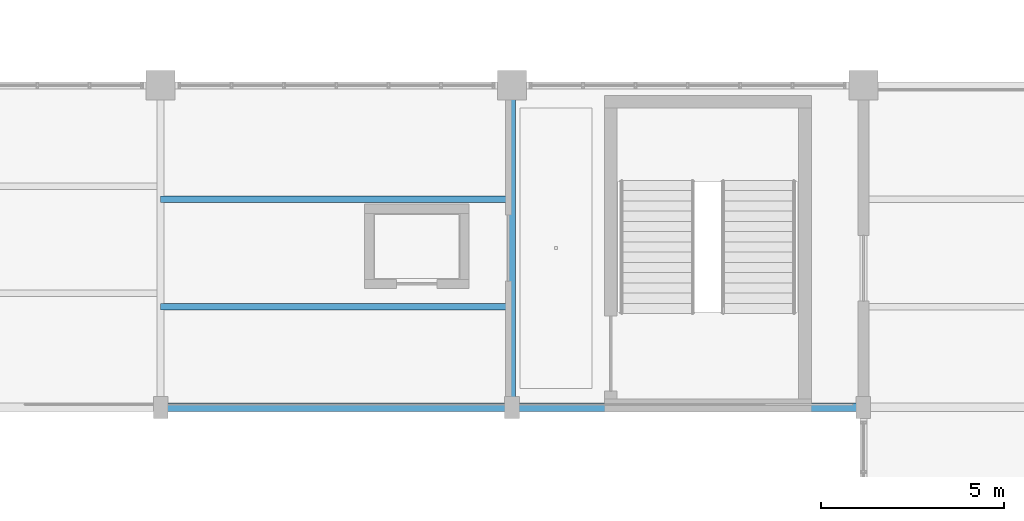
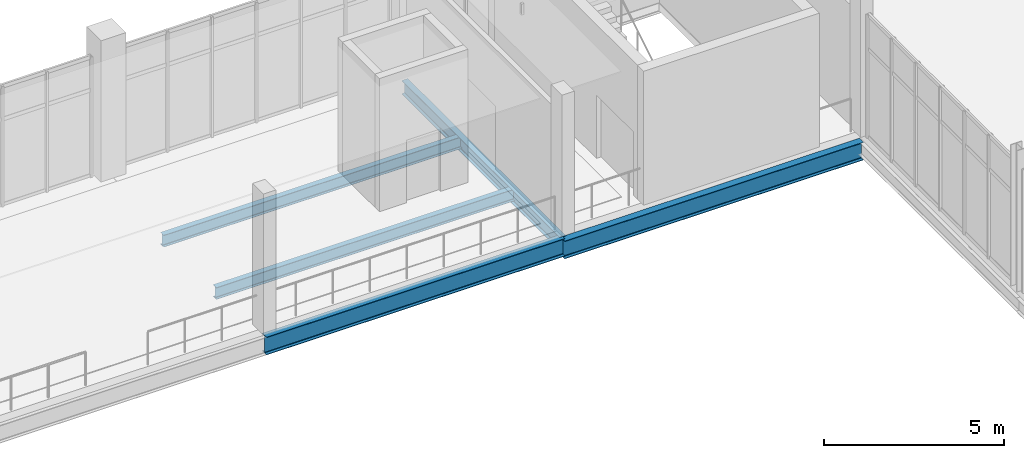
# One storey, part 64 of 157: 5 beams.
"""IFC4 building model written with IfcOpenShell, lengths in metres."""

import ifcopenshell
import ifcopenshell.guid

model = None  # the IFC model being written
_history = None  # IfcOwnerHistory: only IFC2X3 demands one
_inside = {}  # id of a spatial element -> (the spatial element, [elements in it])
_under = {}  # id of a project, library or spatial element -> (it, [spatial elements below it])
_declared = {}  # id of a project -> (the project, [libraries it declares])
_typed = {}  # id of a type object -> (the type object, [elements of that type])
_made_of = {}  # id of a material, layer set ... -> (it, [elements and type objects made of it])


def new_model(schema):
    """Start an empty IFC model of exactly this schema.

    Asked for "IFC4X3", IfcOpenShell would pick the latest addendum, in which some entities
    have other attributes; the version numbers below select the first issue.
    IFC2X3 requires an IfcOwnerHistory on every rooted entity: one is made here for all.
    """
    global model, _history
    if schema == "IFC4X3":
        model = ifcopenshell.file(schema_version=(4, 3, 0, 0))
    else:
        model = ifcopenshell.file(schema=schema)
    _inside.clear()
    _under.clear()
    _declared.clear()
    _typed.clear()
    _made_of.clear()
    _history = None
    if model.schema == "IFC2X3":
        org = make("IfcOrganization", Name="unknown")
        user = make(
            "IfcPersonAndOrganization",
            ThePerson=make("IfcPerson", FamilyName="unknown"),
            TheOrganization=org,
        )
        app = make(
            "IfcApplication",
            ApplicationDeveloper=org,
            Version="unknown",
            ApplicationFullName="unknown",
            ApplicationIdentifier="unknown",
        )
        _history = make(
            "IfcOwnerHistory",
            OwningUser=user,
            OwningApplication=app,
            ChangeAction="ADDED",
            CreationDate=0,
        )
    return model


def make(cls, **values):
    """One entity of the class cls with the attributes given. An attribute that is None is left unset."""
    return model.create_entity(
        cls, **{name: value for name, value in values.items() if value is not None}
    )


def rooted(cls, **values):
    """An entity with a GlobalId (a new one), such as an element, a storey or a relation."""
    return make(cls, GlobalId=ifcopenshell.guid.new(), OwnerHistory=_history, **values)


def si_unit(unit_type, name, prefix=None):
    """IfcSIUnit, for example si_unit("LENGTHUNIT", "METRE", prefix="MILLI")."""
    return make("IfcSIUnit", UnitType=unit_type, Prefix=prefix, Name=name)


def assignment(units):
    """IfcUnitAssignment: the units of a project."""
    return None if units is None else make("IfcUnitAssignment", Units=units)


def point(xyz):
    """IfcCartesianPoint."""
    return None if xyz is None else make("IfcCartesianPoint", Coordinates=xyz)


def direction(xyz):
    """IfcDirection."""
    return None if xyz is None else make("IfcDirection", DirectionRatios=xyz)


def frame(location, z_axis=None, x_axis=None):
    """IfcAxis2Placement3D, a coordinate frame: its origin and axes. An axis left out is left unset."""
    return make(
        "IfcAxis2Placement3D",
        Location=point(location),
        Axis=direction(z_axis),
        RefDirection=direction(x_axis),
    )


def frame_2d(location, x_axis=None):
    """IfcAxis2Placement2D, a coordinate frame in the plane: its origin and x axis."""
    return make(
        "IfcAxis2Placement2D", Location=point(location), RefDirection=direction(x_axis)
    )


def origin():
    """The frame at (0, 0, 0) with its axes left unset."""
    return frame((0.0, 0.0, 0.0))


def origin_2d():
    """The frame at (0, 0) in the plane with its x axis left unset."""
    return frame_2d((0.0, 0.0))


def place(relative_to, where):
    """IfcLocalPlacement: puts the frame where relative to a parent placement (None: the world)."""
    return make(
        "IfcLocalPlacement", PlacementRelTo=relative_to, RelativePlacement=where
    )


def context(
    kind, dimensions, precision=None, world=None, true_north=None, identifier=None
):
    """IfcGeometricRepresentationContext, for example the 3D "Model" context."""
    return make(
        "IfcGeometricRepresentationContext",
        ContextIdentifier=identifier,
        ContextType=kind,
        CoordinateSpaceDimension=dimensions,
        Precision=precision,
        WorldCoordinateSystem=world,
        TrueNorth=true_north,
    )


def subcontext(parent, identifier, kind, view, scale=None):
    """IfcGeometricRepresentationSubContext, for example "Body" below "Model"."""
    return make(
        "IfcGeometricRepresentationSubContext",
        ContextIdentifier=identifier,
        ContextType=kind,
        ParentContext=parent,
        TargetScale=scale,
        TargetView=view,
    )


def project(units=None, contexts=None):
    """IfcProject with its units and contexts."""
    return rooted(
        "IfcProject",
        Name="project",
        RepresentationContexts=contexts,
        UnitsInContext=assignment(units),
    )


def spatial(cls, under=None, at=None, **own):
    """A site, building, storey or space (cls), placed at a placement, below another one or the project."""
    s = rooted(cls, ObjectPlacement=at, **own)
    if under is not None:
        _under.setdefault(under.id(), (under, []))[1].append(s)
    return s


def profile(cls, at=None, kind="AREA", **sizes):
    """A parametric profile (cls). Its sizes go by their IFC names, for example OverallWidth=200.0."""
    return make(cls, ProfileType=kind, Position=at, **sizes)


def i_section(**sizes):
    """IfcIShapeProfileDef."""
    return profile("IfcIShapeProfileDef", **sizes)


def extrude(swept, where, along, depth):
    """IfcExtrudedAreaSolid: the profile swept, set in the frame where, extruded along a direction by depth."""
    return make(
        "IfcExtrudedAreaSolid",
        SweptArea=swept,
        Position=where,
        ExtrudedDirection=direction(along),
        Depth=depth,
    )


def shape(context_of_items, identifier, shape_type, items):
    """IfcShapeRepresentation: the items that make up one representation, for example the "Body"."""
    return make(
        "IfcShapeRepresentation",
        ContextOfItems=context_of_items,
        RepresentationIdentifier=identifier,
        RepresentationType=shape_type,
        Items=items,
    )


def material(Name=None, Category=None):
    """IfcMaterial."""
    return make("IfcMaterial", Name=Name, Category=Category)


def material_profile(
    of_material, cross_section, Name=None, Category=None, Priority=None
):
    """IfcMaterialProfile: a cross section and its material."""
    return make(
        "IfcMaterialProfile",
        Name=Name,
        Material=of_material,
        Profile=cross_section,
        Priority=Priority,
        Category=Category,
    )


def profile_set(profiles, Name=None, composite=None):
    """IfcMaterialProfileSet."""
    return make(
        "IfcMaterialProfileSet",
        Name=Name,
        MaterialProfiles=profiles,
        CompositeProfile=composite,
    )


def made_of(thing, what):
    """Note that an element or type object is made of a material, layer set ...; save() writes the relation."""
    if what is not None:
        _made_of.setdefault(what.id(), (what, []))[1].append(thing)
    return thing


def type_object(cls, material=None, **own):
    """A type object (cls), such as IfcWallType, which elements share."""
    return made_of(rooted(cls, **own), material)


def element(
    cls,
    number,
    at=None,
    inside=None,
    cuts=None,
    type_object=None,
    material=None,
    context=None,
    identifier="Body",
    shape_type=None,
    held_by="IfcProductDefinitionShape",
    body=None,
    shapes=None,
    **own,
):
    """One element of the class cls, such as IfcWall. Its Tag is "e" and its number.

    at: its placement. inside: the storey or other place that contains it. cuts: it is an
    opening in that element (IfcRelVoidsElement). A single representation is given by context,
    identifier, shape_type and body (its items); several are given by shapes. held_by: the class
    of the entity that holds the representations. save() writes the other relations.
    """
    e = rooted(cls, Tag="e%d" % number, ObjectPlacement=at, **own)
    if body is not None:
        shapes = [shape(context, identifier, shape_type, body)]
    if shapes is not None:
        e.Representation = make(held_by, Representations=shapes)
    if inside is not None:
        _inside.setdefault(inside.id(), (inside, []))[1].append(e)
    if cuts is not None:
        rooted(
            "IfcRelVoidsElement", RelatingBuildingElement=cuts, RelatedOpeningElement=e
        )
    if type_object is not None:
        _typed.setdefault(type_object.id(), (type_object, []))[1].append(e)
    return made_of(e, material)


def aggregate(whole, parts):
    """IfcRelAggregates: a whole, such as a stair, and the parts it consists of."""
    return rooted("IfcRelAggregates", RelatingObject=whole, RelatedObjects=parts)


def save(model, path):
    """Write the relations noted so far, then the file.

    IfcRelAggregates (storeys below a building ...), IfcRelContainedInSpatialStructure (elements
    in a storey), IfcRelDefinesByType, IfcRelAssociatesMaterial and IfcRelDeclares: one each for
    every whole, place, type object, material and project.
    """
    for whole, parts in _under.values():
        aggregate(whole, parts)
    for where, things in _inside.values():
        rooted(
            "IfcRelContainedInSpatialStructure",
            RelatedElements=things,
            RelatingStructure=where,
        )
    for kind, things in _typed.values():
        rooted("IfcRelDefinesByType", RelatedObjects=things, RelatingType=kind)
    for what, things in _made_of.values():
        rooted("IfcRelAssociatesMaterial", RelatedObjects=things, RelatingMaterial=what)
    for by, libraries in _declared.values():
        rooted("IfcRelDeclares", RelatingContext=by, RelatedDefinitions=libraries)
    model.write(path)


model = new_model("IFC4")

# Units and contexts
model_context = context("Model", 3, precision=1e-05, world=origin(), true_north=direction((0.0, 1.0)))
body_context = subcontext(model_context, "Body", "Model", "MODEL_VIEW")
ifc_project = project(units=[si_unit("LENGTHUNIT", "METRE"), si_unit("AREAUNIT", "SQUARE_METRE"), si_unit("VOLUMEUNIT", "CUBIC_METRE"), si_unit("PLANEANGLEUNIT", "RADIAN"), si_unit("MASSUNIT", "GRAM", prefix="KILO")], contexts=[model_context])

# Site, building, storey
site_placement = place(None, origin())
site = spatial("IfcSite", under=ifc_project, at=site_placement, CompositionType="ELEMENT")
building_placement = place(site_placement, origin())
building = spatial("IfcBuilding", under=site, at=building_placement, Name="Chalmorin Arch Market", CompositionType="ELEMENT")
storey_placement = place(building_placement, frame((0.0, 0.0, 4.800048828125)))
storey = spatial("IfcBuildingStorey", under=building, at=storey_placement, Name="L01", CompositionType="ELEMENT", Elevation=4.800048828125)

# Beams
ifc_material = material(Name="Steel A992 Grade 50", Category="steel")
ifc_material_profile_1 = material_profile(ifc_material, i_section(OverallWidth=0.193115234375, OverallDepth=0.466064453125, WebThickness=0.011474609375, FlangeThickness=0.01904296875, FilletRadius=0.02001953125, at=origin_2d()), Name="W18X65")
ifc_profile_set_1 = profile_set([ifc_material_profile_1], Name="Steel A992 Grade 50")
beam_type_1 = type_object("IfcBeamType", Name="FloorSteelBeam-W18X65", PredefinedType="BEAM", material=ifc_profile_set_1)
beam_1_placement = place(storey_placement, frame((115.199951171875, 50.0, -0.485107421875), z_axis=(0.0, 1.0, 0.0), x_axis=(-1.0, 0.0, 0.0)))
element("IfcBeam", 1, at=beam_1_placement, inside=storey, type_object=beam_type_1, Name="BM-W18A-0660", PredefinedType="BEAM", context=body_context, shape_type="SweptSolid", body=[
    extrude(i_section(OverallWidth=0.193115234375, OverallDepth=0.466064453125, WebThickness=0.011474609375, FlangeThickness=0.01904296875, FilletRadius=0.02001953125, at=origin_2d()), origin(), (0.0, 0.0, 1.0), 8.800048828125),
])
ifc_material_profile_2 = material_profile(ifc_material, i_section(OverallWidth=0.22802734375, OverallDepth=0.60791015625, WebThickness=0.01123046875, FlangeThickness=0.017333984375, FilletRadius=0.02392578125, at=origin_2d()), Name="W24X76")
ifc_profile_set_2 = profile_set([ifc_material_profile_2], Name="Steel A992 Grade 50")
beam_type_2 = type_object("IfcBeamType", Name="PrimarySteelGirder-W24X76", PredefinedType="BEAM", material=ifc_profile_set_2)
beam_2_placement = place(storey_placement, frame((105.60009765625, 50.0, -0.55615234375), z_axis=(1.0, 0.0, 0.0), x_axis=(0.0, 1.0, 0.0)))
element("IfcBeam", 2, at=beam_2_placement, inside=storey, type_object=beam_type_2, Name="BG-W24B-0658", PredefinedType="BEAM", context=body_context, shape_type="SweptSolid", body=[
    extrude(i_section(OverallWidth=0.22802734375, OverallDepth=0.60791015625, WebThickness=0.01123046875, FlangeThickness=0.017333984375, FilletRadius=0.02392578125, at=origin_2d()), origin(), (0.0, 0.0, 1.0), 9.599853515625),
])
beam_3_placement = place(storey_placement, frame((115.199951171875, 50.0, -0.64599609375), z_axis=(1.0, 0.0, 0.0), x_axis=(0.0, 1.0, 0.0)))
element("IfcBeam", 3, at=beam_3_placement, inside=storey, type_object=beam_type_2, Name="BG-W24B-0661", PredefinedType="BEAM", context=body_context, shape_type="SweptSolid", body=[
    extrude(i_section(OverallWidth=0.22802734375, OverallDepth=0.60791015625, WebThickness=0.01123046875, FlangeThickness=0.017333984375, FilletRadius=0.02392578125, at=origin_2d()), origin(), (0.0, 0.0, 1.0), 9.60009765625),
])
ifc_material_profile_3 = material_profile(ifc_material, i_section(OverallWidth=0.177978515625, OverallDepth=0.403076171875, WebThickness=0.007568359375, FlangeThickness=0.010986328125, FilletRadius=0.01806640625, at=origin_2d()), Name="W16X36")
ifc_profile_set_3 = profile_set([ifc_material_profile_3], Name="Steel A992 Grade 50")
beam_type_3 = type_object("IfcBeamType", Name="SecondaryFloorJoist-W16X36", PredefinedType="JOIST", material=ifc_profile_set_3)
for number, where, z_axis, x_axis, name in (
    (4, (105.60009765625, 52.75341796875, -0.45361328125), (1.0, 0.0, 0.0), (0.0, 1.0, 0.0), "BJ-W16B-0674"),
    (5, (105.60009765625, 55.686767578125, -0.45361328125), (1.0, 0.0, 0.0), (0.0, 1.0, 0.0), "BJ-W16B-0675"),
):
    element("IfcBeam", number, at=place(storey_placement, frame(where, z_axis=z_axis, x_axis=x_axis)), inside=storey, type_object=beam_type_3, Name=name, PredefinedType="JOIST", context=body_context, shape_type="SweptSolid", body=[
        extrude(i_section(OverallWidth=0.177978515625, OverallDepth=0.403076171875, WebThickness=0.007568359375, FlangeThickness=0.010986328125, FilletRadius=0.01806640625, at=origin_2d()), origin(), (0.0, 0.0, 1.0), 9.599853515625),
    ])

save(model, "model.ifc")
